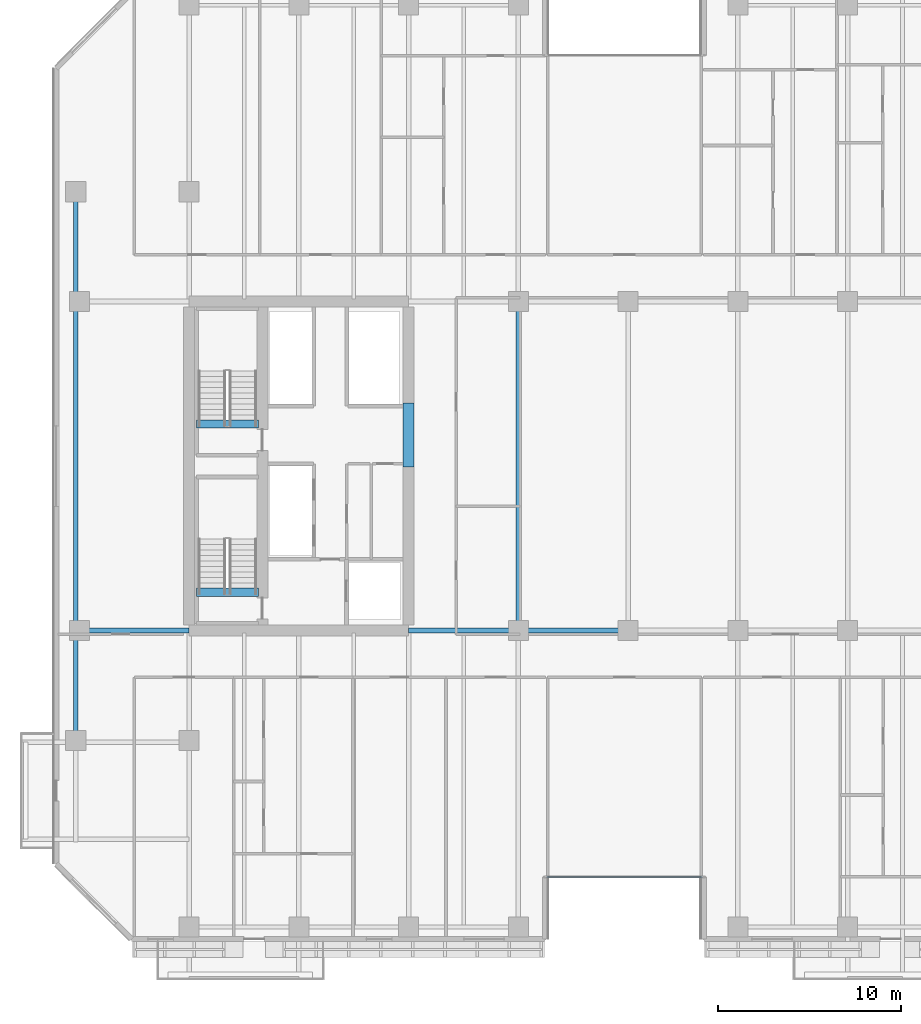
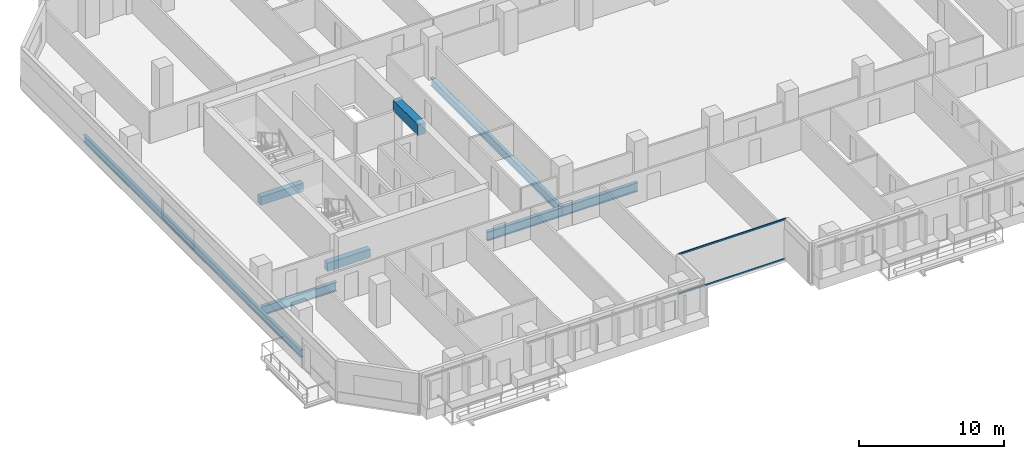
# One storey, part 3 of 26: 8 beams, 2 members, 1 element without a shape of its own.
"""IFC4 building model written with IfcOpenShell, lengths in metres."""

from ifc_helpers import new_model, si_unit, direction, frame, origin, origin_2d, place, context, subcontext, project, spatial, rectangle, hollow_rectangle, i_section, extrude, material, layer, layer_set, material_profile, profile_set, type_object, element, aggregate, save


model = new_model("IFC4")

# Units and contexts
model_context = context("Model", 3, precision=1e-05, world=origin(), true_north=direction((0.0, 1.0)))
body_context = subcontext(model_context, "Body", "Model", "MODEL_VIEW")
ifc_project = project(units=[si_unit("LENGTHUNIT", "METRE"), si_unit("AREAUNIT", "SQUARE_METRE"), si_unit("VOLUMEUNIT", "CUBIC_METRE"), si_unit("PLANEANGLEUNIT", "RADIAN"), si_unit("MASSUNIT", "GRAM", prefix="KILO")], contexts=[model_context])

# Site, building, storey
site_placement = place(None, origin())
site = spatial("IfcSite", under=ifc_project, at=site_placement, CompositionType="ELEMENT")
building_placement = place(site_placement, origin())
building = spatial("IfcBuilding", under=site, at=building_placement, Name="Tanjung Sevakor Pilgrim Tower", CompositionType="ELEMENT")
storey_placement = place(building_placement, frame((0.0, 0.0, 66.0)))
storey = spatial("IfcBuildingStorey", under=building, at=storey_placement, Name="L18", CompositionType="ELEMENT", Elevation=66.0)

# Beams
ifc_material_1 = material(Name="Steel S355J2", Category="steel")
ifc_material_profile_1 = material_profile(ifc_material_1, i_section(OverallWidth=0.26806640625, OverallDepth=0.769775390625, WebThickness=0.015625, FlangeThickness=0.025390625, FilletRadius=0.0166015625, at=origin_2d()))
ifc_profile_set_1 = profile_set([ifc_material_profile_1], Name="Steel S355J2")
beam_type_1 = type_object("IfcBeamType", Name="BM-B-G1-UB_762x267x197", PredefinedType="BEAM", material=ifc_profile_set_1)
for number, where, z_axis, x_axis, name in (
    (1, (18.0, 24.60009765625, -0.60498046875), (1.0, 0.0, 0.0), (0.0, 1.0, 0.0), "L18 Primary Floor Girder MAIN Y246-01"),
    (2, (36.0, 24.60009765625, -0.60498046875), (1.0, 0.0, 0.0), (0.0, 1.0, 0.0), "L18 Primary Floor Girder MAIN Y246-02"),
    (3, (42.0, 24.60009765625, -0.60498046875), (1.0, 0.0, 0.0), (0.0, 1.0, 0.0), "L18 Primary Floor Girder MAIN Y246-03"),
):
    element("IfcBeam", number, at=place(storey_placement, frame(where, z_axis=z_axis, x_axis=x_axis)), inside=storey, type_object=beam_type_1, Name=name, PredefinedType="BEAM", context=body_context, shape_type="SweptSolid", body=[
        extrude(i_section(OverallWidth=0.26806640625, OverallDepth=0.769775390625, WebThickness=0.015625, FlangeThickness=0.025390625, FilletRadius=0.0166015625, at=origin_2d()), origin(), (0.0, 0.0, 1.0), 6.0),
    ])
ifc_material_2 = material(Name="Steel S355J2", Category="steel")
ifc_material_profile_2 = material_profile(ifc_material_2, i_section(OverallWidth=0.25439453125, OverallDepth=0.6875, WebThickness=0.01318359375, FlangeThickness=0.02099609375, FilletRadius=0.01513671875, at=origin_2d()))
ifc_profile_set_2 = profile_set([ifc_material_profile_2], Name="Steel S355J2")
beam_type_2 = type_object("IfcBeamType", Name="BM-B-G2-UB_686x254x152", PredefinedType="BEAM", material=ifc_profile_set_2)
beam_1_placement = place(storey_placement, frame((42.0, 24.60009765625, -0.563720703125), z_axis=(0.0, 1.0, 0.0), x_axis=(-1.0, 0.0, 0.0)))
element("IfcBeam", 4, at=beam_1_placement, inside=storey, type_object=beam_type_2, Name="L18 MAIN Girder 010", PredefinedType="BEAM", context=body_context, shape_type="SweptSolid", body=[
    extrude(i_section(OverallWidth=0.25439453125, OverallDepth=0.6875, WebThickness=0.01318359375, FlangeThickness=0.02099609375, FilletRadius=0.01513671875, at=origin_2d()), origin(), (0.0, 0.0, 1.0), 18.0),
])
ifc_material_3 = material(Name="Steel S355J2", Category="steel")
ifc_material_profile_3 = material_profile(ifc_material_3, i_section(OverallWidth=0.22900390625, OverallDepth=0.6123046875, WebThickness=0.011962890625, FlangeThickness=0.01953125, FilletRadius=0.0126953125, at=origin_2d()))
ifc_profile_set_3 = profile_set([ifc_material_profile_3], Name="Steel S355J2")
beam_type_3 = type_object("IfcBeamType", Name="BM-B-G4-UB_610x229x125", PredefinedType="BEAM", material=ifc_profile_set_3)
beam_2_placement = place(storey_placement, frame((17.800048828125, 18.60009765625, -0.526123046875), z_axis=(0.0, 1.0, 0.0), x_axis=(-1.0, 0.0, 0.0)))
element("IfcBeam", 5, at=beam_2_placement, inside=storey, type_object=beam_type_3, Name="L18 Short-End Edge Girder W", PredefinedType="BEAM", context=body_context, shape_type="SweptSolid", body=[
    extrude(i_section(OverallWidth=0.22900390625, OverallDepth=0.6123046875, WebThickness=0.011962890625, FlangeThickness=0.01953125, FilletRadius=0.0126953125, at=origin_2d()), origin(), (0.0, 0.0, 1.0), 30.0),
])
ifc_material_4 = material(Name="Concrete C60/75", Category="concrete")
ifc_material_profile_4 = material_profile(ifc_material_4, rectangle(XDim=0.60009765625, YDim=0.89990234375, at=origin_2d()))
ifc_profile_set_4 = profile_set([ifc_material_profile_4], Name="Concrete C60/75")
beam_type_4 = type_object("IfcBeamType", Name="BM-B-LN1-RC-BM_600x900", PredefinedType="LINTEL", material=ifc_profile_set_4)
beam_3_placement = place(storey_placement, frame((36.0, 33.550048828125, 2.9599609375), z_axis=(0.0, 1.0, 0.0), x_axis=(-1.0, 0.0, 0.0)))
element("IfcBeam", 6, at=beam_3_placement, inside=storey, type_object=beam_type_4, Name="L18 W Core Coupling Lintel", PredefinedType="LINTEL", context=body_context, shape_type="SweptSolid", body=[
    extrude(rectangle(XDim=0.60009765625, YDim=0.89990234375, at=origin_2d()), origin(), (0.0, 0.0, 1.0), 3.5),
])
ifc_material_5 = material(Name="Concrete C60/75", Category="concrete")
ifc_material_profile_5 = material_profile(ifc_material_5, rectangle(XDim=0.449951171875, YDim=0.699951171875, at=origin_2d()))
ifc_profile_set_5 = profile_set([ifc_material_profile_5], Name="Concrete C60/75")
beam_type_5 = type_object("IfcBeamType", Name="BM-B-LN3-RC-BM_450x700", PredefinedType="LINTEL", material=ifc_profile_set_5)
for number, where, z_axis, x_axis, name in (
    (7, (24.39990234375, 26.699951171875, -0.35009765625), (1.0, 0.0, 0.0), (0.0, 1.0, 0.0), "L18 TS-W1 Stair Threshold Beam"),
    (8, (24.39990234375, 35.89990234375, -0.35009765625), (1.0, 0.0, 0.0), (0.0, 1.0, 0.0), "L18 TS-W2 Stair Threshold Beam"),
):
    element("IfcBeam", number, at=place(storey_placement, frame(where, z_axis=z_axis, x_axis=x_axis)), inside=storey, type_object=beam_type_5, Name=name, PredefinedType="LINTEL", context=body_context, shape_type="SweptSolid", body=[
        extrude(rectangle(XDim=0.449951171875, YDim=0.699951171875, at=origin_2d()), origin(), (0.0, 0.0, 1.0), 3.400146484375),
    ])

# Curtain wall, members
ifc_material_6 = material(Name="Aluminium 6063-T6 and Low-E Glass", Category="aluminium")
ifc_layer = layer(ifc_material_6, 0.179931640625)
ifc_layer_set = layer_set([ifc_layer], Name="CW-SYS-CLEFT")
curtain_wall_type = type_object("IfcCurtainWallType", Name="CW-SYS-CLEFT", PredefinedType="NOTDEFINED", material=ifc_layer_set)
curtain_wall_placement = place(storey_placement, origin())
curtain_wall = element("IfcCurtainWall", 9, at=curtain_wall_placement, inside=storey, type_object=curtain_wall_type, Name="L18 Curtain Wall CW-CLF-L18-2", PredefinedType="NOTDEFINED")
ifc_material_7 = material(Name="Aluminium 6063-T6", Category="aluminium")
ifc_material_profile_6 = material_profile(ifc_material_7, hollow_rectangle(XDim=0.06494140625, YDim=0.139892578125, WallThickness=0.00390625, at=origin_2d()))
ifc_profile_set_6 = profile_set([ifc_material_profile_6], Name="Aluminium 6063-T6")
member_type = type_object("IfcMemberType", Name="TYPE-CWT-1", PredefinedType="USERDEFINED", material=ifc_profile_set_6)
member_1_placement = place(storey_placement, frame((43.534912109375, 11.139892578125, 0.032470703125), z_axis=(1.0, 0.0, 0.0), x_axis=(0.0, 1.0, 0.0)))
member_1 = element("IfcMember", 10, at=member_1_placement, type_object=member_type, Name="CW-CLF transom 1.1", ObjectType="TRANSOM", PredefinedType="USERDEFINED", context=body_context, shape_type="SweptSolid", body=[
    extrude(hollow_rectangle(XDim=0.06494140625, YDim=0.139892578125, WallThickness=0.00390625, at=origin_2d()), origin(), (0.0, 0.0, 1.0), 8.530029296875),
])
member_2_placement = place(storey_placement, frame((43.534912109375, 11.139892578125, 3.37744140625), z_axis=(1.0, 0.0, 0.0), x_axis=(0.0, 1.0, 0.0)))
member_2 = element("IfcMember", 11, at=member_2_placement, type_object=member_type, Name="CW-CLF transom 1.2", ObjectType="TRANSOM", PredefinedType="USERDEFINED", context=body_context, shape_type="SweptSolid", body=[
    extrude(hollow_rectangle(XDim=0.06494140625, YDim=0.139892578125, WallThickness=0.00390625, at=origin_2d()), origin(), (0.0, 0.0, 1.0), 8.530029296875),
])
aggregate(curtain_wall, [member_1, member_2])

save(model, "model.ifc")
